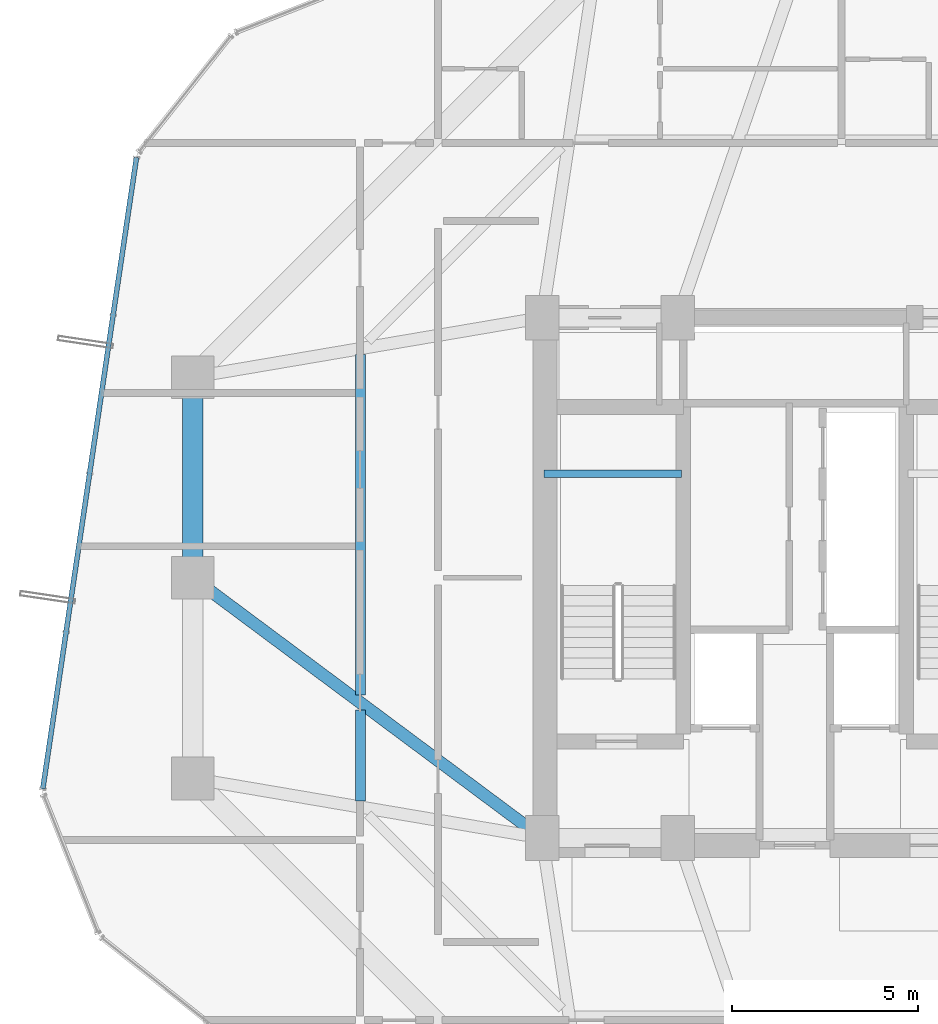
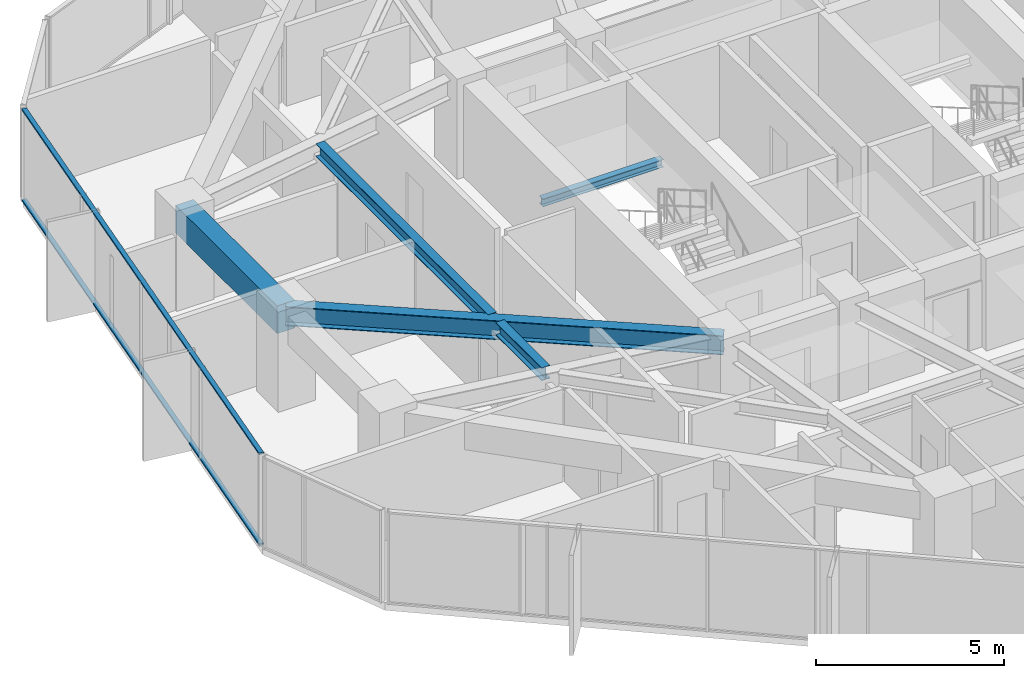
# One storey, part 11 of 29: 5 beams, 2 members, 1 element without a shape of its own.
"""IFC4 building model written with IfcOpenShell, lengths in metres."""

from ifc_helpers import new_model, si_unit, direction, frame, origin, origin_2d, place, context, subcontext, project, spatial, rectangle, hollow_rectangle, i_section, extrude, source, transform, mapped, material, layer, layer_set, material_profile, profile_set, type_object, element, aggregate, save


model = new_model("IFC4")

# Units and contexts
model_context = context("Model", 3, precision=1e-05, world=origin(), true_north=direction((0.0, 1.0)))
body_context = subcontext(model_context, "Body", "Model", "MODEL_VIEW")
ifc_project = project(units=[si_unit("LENGTHUNIT", "METRE"), si_unit("AREAUNIT", "SQUARE_METRE"), si_unit("VOLUMEUNIT", "CUBIC_METRE"), si_unit("PLANEANGLEUNIT", "RADIAN"), si_unit("MASSUNIT", "GRAM", prefix="KILO")], contexts=[model_context])

# Site, building, storey
site_placement = place(None, origin())
site = spatial("IfcSite", under=ifc_project, at=site_placement, CompositionType="ELEMENT")
building_placement = place(site_placement, origin())
building = spatial("IfcBuilding", under=site, at=building_placement, Name="Veraguas Prism Commons", CompositionType="ELEMENT")
storey_placement = place(building_placement, frame((0.0, 0.0, 99.199951171875)))
storey = spatial("IfcBuildingStorey", under=building, at=storey_placement, Name="L27", CompositionType="ELEMENT", Elevation=99.199951171875)

# Beams
ifc_material_1 = material(Name="Steel ASTM A992 Grade 50", Category="steel")
ifc_material_profile_1 = material_profile(ifc_material_1, i_section(OverallWidth=0.260986328125, OverallDepth=0.419921875, WebThickness=0.01171875, FlangeThickness=0.019287109375, at=origin_2d()), Name="W410X114")
ifc_profile_set_1 = profile_set([ifc_material_profile_1], Name="Steel ASTM A992 Grade 50")
beam_type_1 = type_object("IfcBeamType", Name="Lower Floor Joist W410x114", PredefinedType="JOIST", material=ifc_profile_set_1)
beam_1_placement = place(storey_placement, frame((12.31201171875, 30.003662109375, 2.7900390625), z_axis=(0.0, -1.0, 0.0), x_axis=(1.0, 0.0, 0.0)))
element("IfcBeam", 1, at=beam_1_placement, inside=storey, type_object=beam_type_1, Name="Composite Floor Joist L27-JS07", PredefinedType="JOIST", context=body_context, shape_type="SweptSolid", body=[
    extrude(i_section(OverallWidth=0.260986328125, OverallDepth=0.419921875, WebThickness=0.01171875, FlangeThickness=0.019287109375, at=origin_2d()), origin(), (0.0, 0.0, 1.0), 9.16162109375),
])
beam_2_placement = place(storey_placement, frame((12.31201171875, 20.43798828125, 2.7900390625), z_axis=(0.0, -1.0, 0.0), x_axis=(1.0, 0.0, 0.0)))
element("IfcBeam", 2, at=beam_2_placement, inside=storey, type_object=beam_type_1, Name="Composite Floor Joist L27-JS08", PredefinedType="JOIST", context=body_context, shape_type="SweptSolid", body=[
    extrude(i_section(OverallWidth=0.260986328125, OverallDepth=0.419921875, WebThickness=0.01171875, FlangeThickness=0.019287109375, at=origin_2d()), origin(), (0.0, 0.0, 1.0), 2.441650390625),
])
ifc_material_2 = material(Name="Concrete C50/60", Category="concrete")
ifc_material_profile_2 = material_profile(ifc_material_2, rectangle(XDim=0.550048828125, YDim=0.89990234375, at=origin_2d()), Name="RC550X900")
ifc_profile_set_2 = profile_set([ifc_material_profile_2], Name="Concrete C50/60")
beam_type_2 = type_object("IfcBeamType", Name="Perimeter Spandrel Lower RC 550x900", PredefinedType="SPANDREL", material=ifc_profile_set_2)
beam_3_placement = place(storey_placement, frame((7.800048828125, 29.39990234375, 2.550048828125), z_axis=(0.0, -1.0, 0.0), x_axis=(1.0, 0.0, 0.0)))
element("IfcBeam", 3, at=beam_3_placement, inside=storey, type_object=beam_type_2, Name="Perimeter Spandrel Beam L27-SP07", PredefinedType="SPANDREL", context=body_context, shape_type="SweptSolid", body=[
    extrude(rectangle(XDim=0.550048828125, YDim=0.89990234375, at=origin_2d()), origin(), (0.0, 0.0, 1.0), 5.39990234375),
])
ifc_material_profile_3 = material_profile(ifc_material_1, i_section(OverallWidth=0.202880859375, OverallDepth=0.251953125, WebThickness=0.008056640625, FlangeThickness=0.013427734375, at=origin_2d()), Name="W250X58")
ifc_profile_set_3 = profile_set([ifc_material_profile_3], Name="Steel ASTM A992 Grade 50")
beam_type_3 = type_object("IfcBeamType", Name="Structural Opening Lintel W250x58", PredefinedType="LINTEL", material=ifc_profile_set_3)
beam_4_placement = place(storey_placement, frame((17.25, 26.800048828125, 1.299072265625), z_axis=(1.0, 0.0, 0.0), x_axis=(0.0, 1.0, 0.0)))
element("IfcBeam", 4, at=beam_4_placement, inside=storey, type_object=beam_type_3, Name="Stair ST-01 Half-Landing Support Beam L27-1", PredefinedType="LINTEL", context=body_context, shape_type="SweptSolid", body=[
    extrude(i_section(OverallWidth=0.202880859375, OverallDepth=0.251953125, WebThickness=0.008056640625, FlangeThickness=0.013427734375, at=origin_2d()), origin(), (0.0, 0.0, 1.0), 3.699951171875),
])
ifc_material_profile_4 = material_profile(ifc_material_1, i_section(OverallWidth=0.327880859375, OverallDepth=0.6220703125, WebThickness=0.015380859375, FlangeThickness=0.0244140625, at=origin_2d()), Name="W610X195")
ifc_profile_set_4 = profile_set([ifc_material_profile_4], Name="Steel ASTM A992 Grade 50")
beam_type_4 = type_object("IfcBeamType", Name="Zone 2 Radial Girder W610x195", PredefinedType="BEAM", material=ifc_profile_set_4)
beam_5_placement = place(storey_placement, frame((7.800048828125, 24.0, 2.68896484375), z_axis=(0.802040137921, -0.597270137512, 0.0), x_axis=(0.597270137512, 0.802040137921, 0.0)))
element("IfcBeam", 5, at=beam_5_placement, inside=storey, type_object=beam_type_4, Name="Radial Floor Girder L27-RD08", PredefinedType="BEAM", context=body_context, shape_type="SweptSolid", body=[
    extrude(i_section(OverallWidth=0.327880859375, OverallDepth=0.6220703125, WebThickness=0.015380859375, FlangeThickness=0.0244140625, at=origin_2d()), origin(), (0.0, 0.0, 1.0), 11.719970703125),
])

# Curtain wall, members
ifc_material_3 = material(Name="Anodised aluminium EN AW-6063 T6", Category="aluminium")
ifc_layer = layer(ifc_material_3, 0.169921875, Name="Unitised Flush Curtain Wall Zone 2", Category="aluminium")
ifc_layer_set = layer_set([ifc_layer], Name="Anodised aluminium EN AW-6063 T6")
curtain_wall_type = type_object("IfcCurtainWallType", Name="Unitised Flush Curtain Wall Zone 2", PredefinedType="NOTDEFINED", material=ifc_layer_set)
curtain_wall_placement = place(storey_placement, origin())
curtain_wall = element("IfcCurtainWall", 6, at=curtain_wall_placement, inside=storey, type_object=curtain_wall_type, Name="Tower Facade Curtain Wall L27-F3", PredefinedType="NOTDEFINED")
ifc_material_profile_5 = material_profile(ifc_material_3, hollow_rectangle(XDim=0.054931640625, YDim=0.135009765625, WallThickness=0.0029296875, at=origin_2d()), Name="AL55X135X3")
ifc_profile_set_5 = profile_set([ifc_material_profile_5], Name="Anodised aluminium EN AW-6063 T6")
member_type = type_object("IfcMemberType", Name="Curtain Wall Transom Standard AL 55x135x3", PredefinedType="USERDEFINED", material=ifc_profile_set_5)
shared_shape = source(origin(), body_context, "Body", "SweptSolid", [
    extrude(hollow_rectangle(XDim=0.054931640625, YDim=0.135009765625, WallThickness=0.0029296875, at=origin_2d()), origin(), (0.0, 0.0, 1.0), 17.17431640625),
])
member_1_placement = place(storey_placement, frame((6.28564453125, 35.3095703125, 0.027587890625), z_axis=(-0.146774826493, -0.989169929945, 0.0), x_axis=(0.0, 0.0, 1.0)))
member_1 = element("IfcMember", 7, at=member_1_placement, type_object=member_type, Name="CW-Z2 Transom 1", ObjectType="TRANSOM", PredefinedType="USERDEFINED", context=body_context, shape_type="MappedRepresentation", body=[
    mapped(shared_shape, transform((0.0, 0.0, 0.0), scale=1.0)),
])
member_2_placement = place(storey_placement, frame((6.28564453125, 35.3095703125, 2.97265625), z_axis=(-0.146774826493, -0.989169929945, 0.0), x_axis=(0.0, 0.0, 1.0)))
member_2 = element("IfcMember", 8, at=member_2_placement, type_object=member_type, Name="CW-Z2 Transom 2", ObjectType="TRANSOM", PredefinedType="USERDEFINED", context=body_context, shape_type="MappedRepresentation", body=[
    mapped(shared_shape, transform((0.0, 0.0, 0.0), scale=1.0)),
])
aggregate(curtain_wall, [member_1, member_2])

save(model, "model.ifc")
